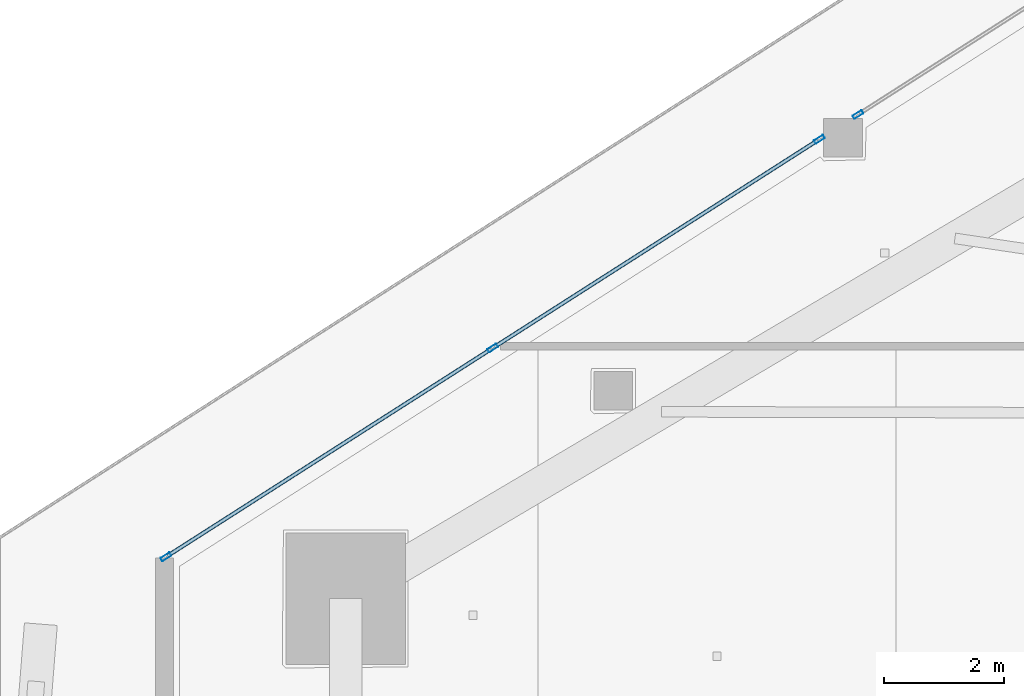
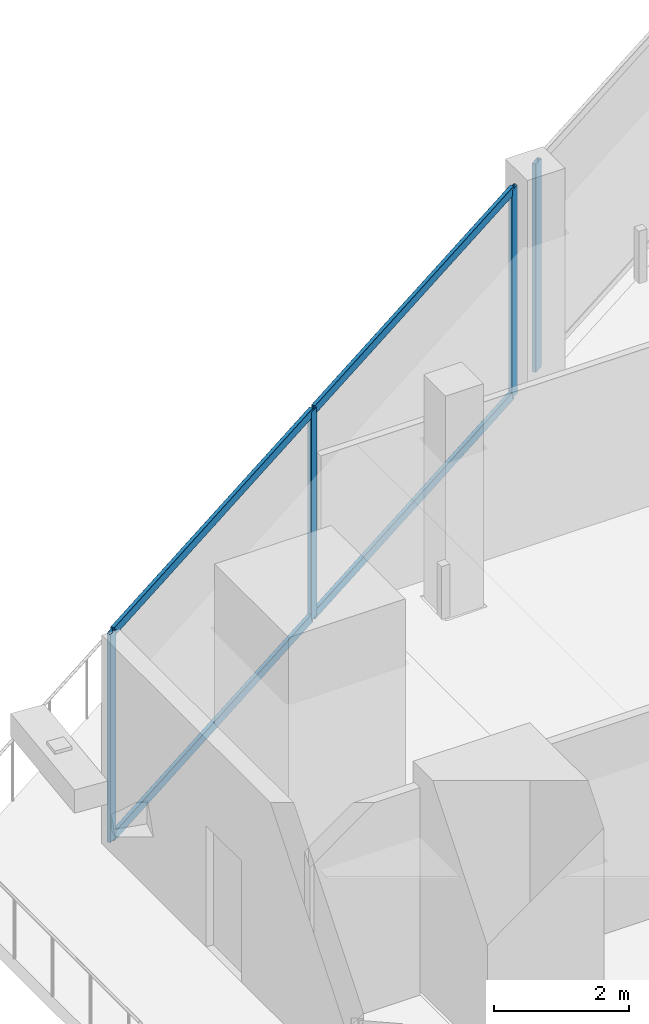
# One storey, part 13 of 35: 8 members, 2 elements without a shape of their own.
"""IFC4 building model written with IfcOpenShell, lengths in metres."""

from ifc_helpers import new_model, si_unit, direction, frame, origin, origin_2d, place, context, subcontext, project, spatial, hollow_rectangle, extrude, material, layer, layer_set, material_profile, profile_set, type_object, element, aggregate, save


model = new_model("IFC4")

# Units and contexts
model_context = context("Model", 3, precision=1e-05, world=origin(), true_north=direction((0.0, 1.0)))
body_context = subcontext(model_context, "Body", "Model", "MODEL_VIEW")
ifc_project = project(units=[si_unit("LENGTHUNIT", "METRE"), si_unit("AREAUNIT", "SQUARE_METRE"), si_unit("VOLUMEUNIT", "CUBIC_METRE"), si_unit("PLANEANGLEUNIT", "RADIAN"), si_unit("MASSUNIT", "GRAM", prefix="KILO")], contexts=[model_context])

# Site, building, storey
site_placement = place(None, origin())
site = spatial("IfcSite", under=ifc_project, at=site_placement, CompositionType="ELEMENT")
building_placement = place(site_placement, origin())
building = spatial("IfcBuilding", under=site, at=building_placement, Name="Qorvath Tower", CompositionType="ELEMENT")
storey_placement = place(building_placement, frame((0.0, 0.0, 166.5)))
storey = spatial("IfcBuildingStorey", under=building, at=storey_placement, Name="L38", CompositionType="ELEMENT", Elevation=166.5)

# Curtain wall, member
ifc_material_1 = material(Name="Anodised aluminium and triple low-E glass", Category="aluminium")
ifc_layer = layer(ifc_material_1, 0.179931640625)
ifc_layer_set = layer_set([ifc_layer], Name="CW-SYS-3")
curtain_wall_type = type_object("IfcCurtainWallType", Name="CW-SYS-3", PredefinedType="NOTDEFINED", material=ifc_layer_set)
curtain_wall_1_placement = place(storey_placement, origin())
curtain_wall_1 = element("IfcCurtainWall", 1, at=curtain_wall_1_placement, inside=storey, type_object=curtain_wall_type, Name="Curtain Wall CW-3 CW-T-L38-16.2", PredefinedType="NOTDEFINED")
ifc_material_2 = material(Name="Anodised aluminium 6063-T6", Category="aluminium")
ifc_material_profile_1 = material_profile(ifc_material_2, hollow_rectangle(XDim=0.06494140625, YDim=0.179931640625, WallThickness=0.00341796875, InnerFilletRadius=0.00341796875, OuterFilletRadius=0.007080078125, at=origin_2d()), Name="CWM 180x65")
ifc_profile_set_1 = profile_set([ifc_material_profile_1], Name="Anodised aluminium 6063-T6")
member_type_1 = type_object("IfcMemberType", Name="CWM-180", PredefinedType="MULLION", material=ifc_profile_set_1)
member_1_placement = place(storey_placement, frame((-44.48828125, 11.039794921875, 0.0), z_axis=(0.0, 0.0, 1.0), x_axis=(0.538537129711, -0.842601780156, 0.0)))
member_1 = element("IfcMember", 2, at=member_1_placement, type_object=member_type_1, Name="CW-3 mullion 4", PredefinedType="MULLION", context=body_context, shape_type="SweptSolid", body=[
    extrude(hollow_rectangle(XDim=0.06494140625, YDim=0.179931640625, WallThickness=0.00341796875, InnerFilletRadius=0.00341796875, OuterFilletRadius=0.007080078125, at=origin_2d()), origin(), (0.0, 0.0, 1.0), 3.780029296875),
])
aggregate(curtain_wall_1, [member_1])

# Curtain wall, members
curtain_wall_2_placement = place(storey_placement, origin())
curtain_wall_2 = element("IfcCurtainWall", 3, at=curtain_wall_2_placement, inside=storey, type_object=curtain_wall_type, Name="Curtain Wall CW-3 CW-T-L38-16.3", PredefinedType="NOTDEFINED")
member_2_placement = place(storey_placement, frame((-45.133544921875, 10.627197265625, 0.0), z_axis=(0.0, 0.0, 1.0), x_axis=(0.538523302525, -0.842610617449, 0.0)))
member_2 = element("IfcMember", 4, at=member_2_placement, type_object=member_type_1, Name="CW-3 mullion 1", PredefinedType="MULLION", context=body_context, shape_type="SweptSolid", body=[
    extrude(hollow_rectangle(XDim=0.06494140625, YDim=0.179931640625, WallThickness=0.00341796875, InnerFilletRadius=0.00341796875, OuterFilletRadius=0.007080078125, at=origin_2d()), origin(), (0.0, 0.0, 1.0), 3.780029296875),
])
member_3_placement = place(storey_placement, frame((-50.59375, 7.1376953125, 0.0), z_axis=(0.0, 0.0, 1.0), x_axis=(0.538523302525, -0.842610617449, 0.0)))
member_3 = element("IfcMember", 5, at=member_3_placement, type_object=member_type_1, Name="CW-3 mullion 2", PredefinedType="MULLION", context=body_context, shape_type="SweptSolid", body=[
    extrude(hollow_rectangle(XDim=0.06494140625, YDim=0.179931640625, WallThickness=0.00341796875, InnerFilletRadius=0.00341796875, OuterFilletRadius=0.007080078125, at=origin_2d()), origin(), (0.0, 0.0, 1.0), 3.780029296875),
])
member_4_placement = place(storey_placement, frame((-56.0537109375, 3.648193359375, 0.0), z_axis=(0.0, 0.0, 1.0), x_axis=(0.538523302525, -0.842610617449, 0.0)))
member_4 = element("IfcMember", 6, at=member_4_placement, type_object=member_type_1, Name="CW-3 mullion 3", PredefinedType="MULLION", context=body_context, shape_type="SweptSolid", body=[
    extrude(hollow_rectangle(XDim=0.06494140625, YDim=0.179931640625, WallThickness=0.00341796875, InnerFilletRadius=0.00341796875, OuterFilletRadius=0.007080078125, at=origin_2d()), origin(), (0.0, 0.0, 1.0), 3.780029296875),
])
ifc_material_3 = material(Name="Anodised aluminium 6063-T6", Category="aluminium")
ifc_material_profile_2 = material_profile(ifc_material_3, hollow_rectangle(XDim=0.06494140625, YDim=0.159912109375, WallThickness=0.00341796875, InnerFilletRadius=0.00341796875, OuterFilletRadius=0.007080078125, at=origin_2d()), Name="CWT 160x65")
ifc_profile_set_2 = profile_set([ifc_material_profile_2], Name="Anodised aluminium 6063-T6")
member_type_2 = type_object("IfcMemberType", Name="CWT-160", PredefinedType="USERDEFINED", material=ifc_profile_set_2)
member_5_placement = place(storey_placement, frame((-45.160888671875, 10.60986328125, 0.032470703125), z_axis=(-0.842609914071, -0.538524403076, 0.0), x_axis=(0.538524403076, -0.842609914071, 0.0)))
member_5 = element("IfcMember", 7, at=member_5_placement, type_object=member_type_2, Name="CW-3 transom 1.1", ObjectType="TRANSOM", PredefinedType="USERDEFINED", context=body_context, shape_type="SweptSolid", body=[
    extrude(hollow_rectangle(XDim=0.06494140625, YDim=0.159912109375, WallThickness=0.00341796875, InnerFilletRadius=0.00341796875, OuterFilletRadius=0.007080078125, at=origin_2d()), origin(), (0.0, 0.0, 1.0), 6.4150390625),
])
member_6_placement = place(storey_placement, frame((-45.160888671875, 10.60986328125, 3.74755859375), z_axis=(-0.842609914071, -0.538524403076, 0.0), x_axis=(0.538524403076, -0.842609914071, 0.0)))
member_6 = element("IfcMember", 8, at=member_6_placement, type_object=member_type_2, Name="CW-3 transom 1.2", ObjectType="TRANSOM", PredefinedType="USERDEFINED", context=body_context, shape_type="SweptSolid", body=[
    extrude(hollow_rectangle(XDim=0.06494140625, YDim=0.159912109375, WallThickness=0.00341796875, InnerFilletRadius=0.00341796875, OuterFilletRadius=0.007080078125, at=origin_2d()), origin(), (0.0, 0.0, 1.0), 6.4150390625),
])
member_7_placement = place(storey_placement, frame((-50.62109375, 7.1201171875, 0.032470703125), z_axis=(-0.842609914071, -0.538524403076, 0.0), x_axis=(0.538524403076, -0.842609914071, 0.0)))
member_7 = element("IfcMember", 9, at=member_7_placement, type_object=member_type_2, Name="CW-3 transom 2.1", ObjectType="TRANSOM", PredefinedType="USERDEFINED", context=body_context, shape_type="SweptSolid", body=[
    extrude(hollow_rectangle(XDim=0.06494140625, YDim=0.159912109375, WallThickness=0.00341796875, InnerFilletRadius=0.00341796875, OuterFilletRadius=0.007080078125, at=origin_2d()), origin(), (0.0, 0.0, 1.0), 6.4150390625),
])
member_8_placement = place(storey_placement, frame((-50.62109375, 7.1201171875, 3.74755859375), z_axis=(-0.842609914071, -0.538524403076, 0.0), x_axis=(0.538524403076, -0.842609914071, 0.0)))
member_8 = element("IfcMember", 10, at=member_8_placement, type_object=member_type_2, Name="CW-3 transom 2.2", ObjectType="TRANSOM", PredefinedType="USERDEFINED", context=body_context, shape_type="SweptSolid", body=[
    extrude(hollow_rectangle(XDim=0.06494140625, YDim=0.159912109375, WallThickness=0.00341796875, InnerFilletRadius=0.00341796875, OuterFilletRadius=0.007080078125, at=origin_2d()), origin(), (0.0, 0.0, 1.0), 6.4150390625),
])
aggregate(curtain_wall_2, [member_2, member_3, member_4, member_5, member_6, member_7, member_8])

save(model, "model.ifc")
